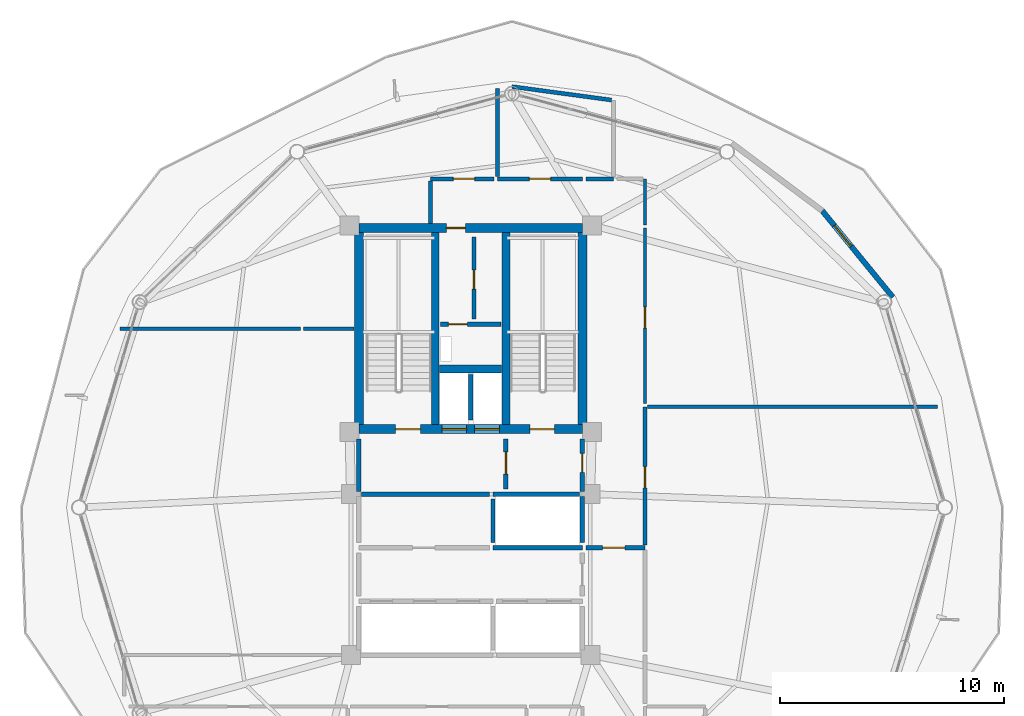
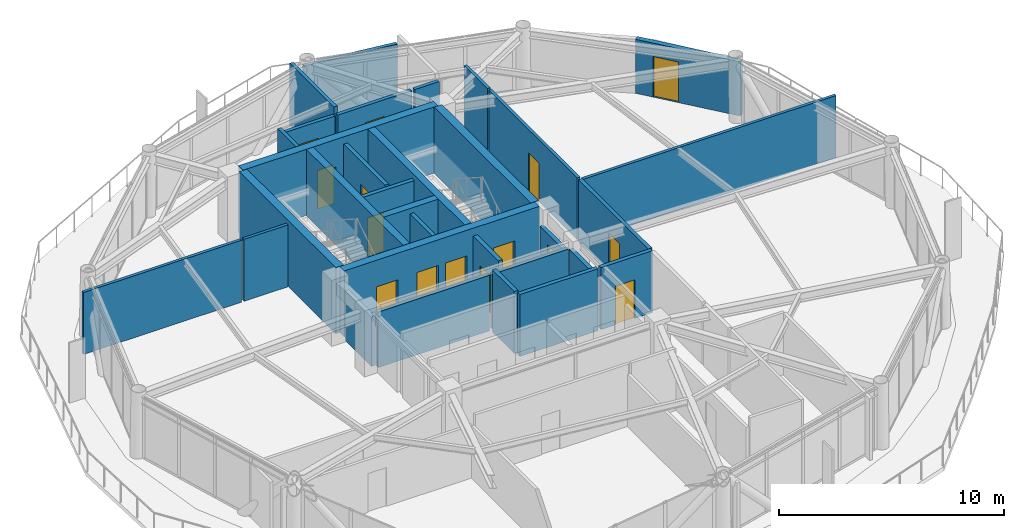
# One storey, part 24 of 28: 32 walls, 15 doors, 15 openings.
"""IFC4 building model written with IfcOpenShell, lengths in metres."""

import ifcopenshell
import ifcopenshell.guid

model = None  # the IFC model being written
_history = None  # IfcOwnerHistory: only IFC2X3 demands one
_inside = {}  # id of a spatial element -> (the spatial element, [elements in it])
_under = {}  # id of a project, library or spatial element -> (it, [spatial elements below it])
_declared = {}  # id of a project -> (the project, [libraries it declares])
_typed = {}  # id of a type object -> (the type object, [elements of that type])
_made_of = {}  # id of a material, layer set ... -> (it, [elements and type objects made of it])


def new_model(schema):
    """Start an empty IFC model of exactly this schema.

    Asked for "IFC4X3", IfcOpenShell would pick the latest addendum, in which some entities
    have other attributes; the version numbers below select the first issue.
    IFC2X3 requires an IfcOwnerHistory on every rooted entity: one is made here for all.
    """
    global model, _history
    if schema == "IFC4X3":
        model = ifcopenshell.file(schema_version=(4, 3, 0, 0))
    else:
        model = ifcopenshell.file(schema=schema)
    _inside.clear()
    _under.clear()
    _declared.clear()
    _typed.clear()
    _made_of.clear()
    _history = None
    if model.schema == "IFC2X3":
        org = make("IfcOrganization", Name="unknown")
        user = make(
            "IfcPersonAndOrganization",
            ThePerson=make("IfcPerson", FamilyName="unknown"),
            TheOrganization=org,
        )
        app = make(
            "IfcApplication",
            ApplicationDeveloper=org,
            Version="unknown",
            ApplicationFullName="unknown",
            ApplicationIdentifier="unknown",
        )
        _history = make(
            "IfcOwnerHistory",
            OwningUser=user,
            OwningApplication=app,
            ChangeAction="ADDED",
            CreationDate=0,
        )
    return model


def make(cls, **values):
    """One entity of the class cls with the attributes given. An attribute that is None is left unset."""
    return model.create_entity(
        cls, **{name: value for name, value in values.items() if value is not None}
    )


def rooted(cls, **values):
    """An entity with a GlobalId (a new one), such as an element, a storey or a relation."""
    return make(cls, GlobalId=ifcopenshell.guid.new(), OwnerHistory=_history, **values)


def si_unit(unit_type, name, prefix=None):
    """IfcSIUnit, for example si_unit("LENGTHUNIT", "METRE", prefix="MILLI")."""
    return make("IfcSIUnit", UnitType=unit_type, Prefix=prefix, Name=name)


def assignment(units):
    """IfcUnitAssignment: the units of a project."""
    return None if units is None else make("IfcUnitAssignment", Units=units)


def point(xyz):
    """IfcCartesianPoint."""
    return None if xyz is None else make("IfcCartesianPoint", Coordinates=xyz)


def direction(xyz):
    """IfcDirection."""
    return None if xyz is None else make("IfcDirection", DirectionRatios=xyz)


def frame(location, z_axis=None, x_axis=None):
    """IfcAxis2Placement3D, a coordinate frame: its origin and axes. An axis left out is left unset."""
    return make(
        "IfcAxis2Placement3D",
        Location=point(location),
        Axis=direction(z_axis),
        RefDirection=direction(x_axis),
    )


def frame_2d(location, x_axis=None):
    """IfcAxis2Placement2D, a coordinate frame in the plane: its origin and x axis."""
    return make(
        "IfcAxis2Placement2D", Location=point(location), RefDirection=direction(x_axis)
    )


def origin():
    """The frame at (0, 0, 0) with its axes left unset."""
    return frame((0.0, 0.0, 0.0))


def place(relative_to, where):
    """IfcLocalPlacement: puts the frame where relative to a parent placement (None: the world)."""
    return make(
        "IfcLocalPlacement", PlacementRelTo=relative_to, RelativePlacement=where
    )


def context(
    kind, dimensions, precision=None, world=None, true_north=None, identifier=None
):
    """IfcGeometricRepresentationContext, for example the 3D "Model" context."""
    return make(
        "IfcGeometricRepresentationContext",
        ContextIdentifier=identifier,
        ContextType=kind,
        CoordinateSpaceDimension=dimensions,
        Precision=precision,
        WorldCoordinateSystem=world,
        TrueNorth=true_north,
    )


def subcontext(parent, identifier, kind, view, scale=None):
    """IfcGeometricRepresentationSubContext, for example "Body" below "Model"."""
    return make(
        "IfcGeometricRepresentationSubContext",
        ContextIdentifier=identifier,
        ContextType=kind,
        ParentContext=parent,
        TargetScale=scale,
        TargetView=view,
    )


def project(units=None, contexts=None):
    """IfcProject with its units and contexts."""
    return rooted(
        "IfcProject",
        Name="project",
        RepresentationContexts=contexts,
        UnitsInContext=assignment(units),
    )


def spatial(cls, under=None, at=None, **own):
    """A site, building, storey or space (cls), placed at a placement, below another one or the project."""
    s = rooted(cls, ObjectPlacement=at, **own)
    if under is not None:
        _under.setdefault(under.id(), (under, []))[1].append(s)
    return s


def profile(cls, at=None, kind="AREA", **sizes):
    """A parametric profile (cls). Its sizes go by their IFC names, for example OverallWidth=200.0."""
    return make(cls, ProfileType=kind, Position=at, **sizes)


def rectangle(**sizes):
    """IfcRectangleProfileDef."""
    return profile("IfcRectangleProfileDef", **sizes)


def extrude(swept, where, along, depth):
    """IfcExtrudedAreaSolid: the profile swept, set in the frame where, extruded along a direction by depth."""
    return make(
        "IfcExtrudedAreaSolid",
        SweptArea=swept,
        Position=where,
        ExtrudedDirection=direction(along),
        Depth=depth,
    )


def shape(context_of_items, identifier, shape_type, items):
    """IfcShapeRepresentation: the items that make up one representation, for example the "Body"."""
    return make(
        "IfcShapeRepresentation",
        ContextOfItems=context_of_items,
        RepresentationIdentifier=identifier,
        RepresentationType=shape_type,
        Items=items,
    )


def material(Name=None, Category=None):
    """IfcMaterial."""
    return make("IfcMaterial", Name=Name, Category=Category)


def layer(
    of_material, thickness, ventilated=None, Name=None, Category=None, Priority=None
):
    """IfcMaterialLayer: one layer of a wall or slab, of a material (None: an air gap)."""
    return make(
        "IfcMaterialLayer",
        Material=of_material,
        LayerThickness=thickness,
        IsVentilated=ventilated,
        Name=Name,
        Category=Category,
        Priority=Priority,
    )


def layer_set(layers, Name=None):
    """IfcMaterialLayerSet."""
    return make("IfcMaterialLayerSet", MaterialLayers=layers, LayerSetName=Name)


def made_of(thing, what):
    """Note that an element or type object is made of a material, layer set ...; save() writes the relation."""
    if what is not None:
        _made_of.setdefault(what.id(), (what, []))[1].append(thing)
    return thing


def type_object(cls, material=None, **own):
    """A type object (cls), such as IfcWallType, which elements share."""
    return made_of(rooted(cls, **own), material)


def element(
    cls,
    number,
    at=None,
    inside=None,
    cuts=None,
    type_object=None,
    material=None,
    context=None,
    identifier="Body",
    shape_type=None,
    held_by="IfcProductDefinitionShape",
    body=None,
    shapes=None,
    **own,
):
    """One element of the class cls, such as IfcWall. Its Tag is "e" and its number.

    at: its placement. inside: the storey or other place that contains it. cuts: it is an
    opening in that element (IfcRelVoidsElement). A single representation is given by context,
    identifier, shape_type and body (its items); several are given by shapes. held_by: the class
    of the entity that holds the representations. save() writes the other relations.
    """
    e = rooted(cls, Tag="e%d" % number, ObjectPlacement=at, **own)
    if body is not None:
        shapes = [shape(context, identifier, shape_type, body)]
    if shapes is not None:
        e.Representation = make(held_by, Representations=shapes)
    if inside is not None:
        _inside.setdefault(inside.id(), (inside, []))[1].append(e)
    if cuts is not None:
        rooted(
            "IfcRelVoidsElement", RelatingBuildingElement=cuts, RelatedOpeningElement=e
        )
    if type_object is not None:
        _typed.setdefault(type_object.id(), (type_object, []))[1].append(e)
    return made_of(e, material)


def fill(opening, filler):
    """IfcRelFillsElement: the door or window that sits in an opening."""
    return rooted(
        "IfcRelFillsElement",
        RelatingOpeningElement=opening,
        RelatedBuildingElement=filler,
    )


def aggregate(whole, parts):
    """IfcRelAggregates: a whole, such as a stair, and the parts it consists of."""
    return rooted("IfcRelAggregates", RelatingObject=whole, RelatedObjects=parts)


def save(model, path):
    """Write the relations noted so far, then the file.

    IfcRelAggregates (storeys below a building ...), IfcRelContainedInSpatialStructure (elements
    in a storey), IfcRelDefinesByType, IfcRelAssociatesMaterial and IfcRelDeclares: one each for
    every whole, place, type object, material and project.
    """
    for whole, parts in _under.values():
        aggregate(whole, parts)
    for where, things in _inside.values():
        rooted(
            "IfcRelContainedInSpatialStructure",
            RelatedElements=things,
            RelatingStructure=where,
        )
    for kind, things in _typed.values():
        rooted("IfcRelDefinesByType", RelatedObjects=things, RelatingType=kind)
    for what, things in _made_of.values():
        rooted("IfcRelAssociatesMaterial", RelatedObjects=things, RelatingMaterial=what)
    for by, libraries in _declared.values():
        rooted("IfcRelDeclares", RelatingContext=by, RelatedDefinitions=libraries)
    model.write(path)


model = new_model("IFC4")

# Units and contexts
model_context = context("Model", 3, precision=1e-05, world=origin(), true_north=direction((0.0, 1.0)))
body_context = subcontext(model_context, "Body", "Model", "MODEL_VIEW")
ifc_project = project(units=[si_unit("LENGTHUNIT", "METRE"), si_unit("AREAUNIT", "SQUARE_METRE"), si_unit("VOLUMEUNIT", "CUBIC_METRE"), si_unit("PLANEANGLEUNIT", "RADIAN"), si_unit("MASSUNIT", "GRAM", prefix="KILO")], contexts=[model_context])

# Site, building, storey
site_placement = place(None, origin())
site = spatial("IfcSite", under=ifc_project, at=site_placement, CompositionType="ELEMENT")
building_placement = place(site_placement, origin())
building = spatial("IfcBuilding", under=site, at=building_placement, Name="Varnakorn Sky Granary", CompositionType="ELEMENT")
storey_placement = place(building_placement, frame((0.0, 0.0, 200.39990234375)))
storey = spatial("IfcBuildingStorey", under=building, at=storey_placement, Name="L50", CompositionType="ELEMENT", Elevation=200.39990234375)

# Walls
ifc_material_1 = material(Name="Concrete C50/60", Category="concrete")
ifc_layer_1 = layer(ifc_material_1, 0.35009765625, Name="Concrete C50/60")
ifc_layer_set_1 = layer_set([ifc_layer_1], Name="Concrete C50/60")
wall_type_1 = type_object("IfcWallType", Name="WT-CW-INT-350", PredefinedType="SHEAR", material=ifc_layer_set_1)
for number, where, z_axis, x_axis, name in (
    (1, (1.419921875, 3.7099609375, 0.0), (0.0, 0.0, 1.0), (0.0, 1.0, 0.0), "Stair ST-1 Core Wall L50"),
    (2, (4.580078125, 3.7099609375, 0.0), (0.0, 0.0, 1.0), (0.0, 1.0, 0.0), "Stair ST-2 Core Wall L50"),
):
    element("IfcWall", number, at=place(storey_placement, frame(where, z_axis=z_axis, x_axis=x_axis)), inside=storey, type_object=wall_type_1, Name=name, PredefinedType="SHEAR", context=body_context, shape_type="SweptSolid", body=[
        extrude(rectangle(XDim=8.580078125, YDim=0.35009765625, at=frame_2d((4.2900390625, 0.0))), origin(), (0.0, 0.0, 1.0), 3.592041015625),
    ])
wall_1_placement = place(storey_placement, frame((1.610107421875, 6.199951171875, 0.0), z_axis=(0.0, 0.0, 1.0), x_axis=(1.0, 0.0, 0.0)))
element("IfcWall", 3, at=wall_1_placement, inside=storey, type_object=wall_type_1, Name="Core Lift Shaft Cross Wall L50", PredefinedType="SHEAR", context=body_context, shape_type="SweptSolid", body=[
    extrude(rectangle(XDim=2.77978515625, YDim=0.35009765625, at=frame_2d((1.389892578125, 0.0))), origin(), (0.0, 0.0, 1.0), 3.592041015625),
])

# Wall, openings, doors
ifc_layer_2 = layer(ifc_material_1, 0.39990234375, Name="Concrete C50/60")
ifc_layer_set_2 = layer_set([ifc_layer_2], Name="Concrete C50/60")
wall_type_2 = type_object("IfcWallType", Name="WT-CW-SHEAR-400", PredefinedType="SHEAR", material=ifc_layer_set_2)
wall_2_placement = place(storey_placement, frame((-2.0, 3.5, 0.0), z_axis=(0.0, 0.0, 1.0), x_axis=(1.0, 0.0, 0.0)))
wall_2 = element("IfcWall", 4, at=wall_2_placement, inside=storey, type_object=wall_type_2, Name="Core South Shear Wall L50", PredefinedType="SHEAR", context=body_context, shape_type="SweptSolid", body=[
    extrude(rectangle(XDim=10.0, YDim=0.39990234375, at=frame_2d((5.0, 0.0))), origin(), (0.0, 0.0, 1.0), 3.592041015625),
])
opening_1_placement = place(wall_2_placement, frame((1.64990234375, 0.0, 0.0)))
opening_1 = element("IfcOpeningElement", 5, at=opening_1_placement, cuts=wall_2, Name="Opening FD-90", PredefinedType="OPENING", context=body_context, shape_type="SweptSolid", body=[
    extrude(rectangle(XDim=1.10009765625, YDim=2.14990234375, at=frame_2d((0.550048828125, 1.074951171875))), frame((0.0, 0.2099609375, 0.0), z_axis=(0.0, -1.0, 0.0), x_axis=(1.0, 0.0, 0.0)), (0.0, 0.0, 1.0), 0.419921875),
])
opening_2_placement = place(wall_2_placement, frame((7.64990234375, 0.0, 0.0)))
opening_2 = element("IfcOpeningElement", 6, at=opening_2_placement, cuts=wall_2, Name="Opening FD-90", PredefinedType="OPENING", context=body_context, shape_type="SweptSolid", body=[
    extrude(rectangle(XDim=1.10009765625, YDim=2.14990234375, at=frame_2d((0.550048828125, 1.074951171875))), frame((0.0, 0.2099609375, 0.0), z_axis=(0.0, -1.0, 0.0), x_axis=(1.0, 0.0, 0.0)), (0.0, 0.0, 1.0), 0.419921875),
])
opening_3_placement = place(wall_2_placement, frame((3.719970703125, 0.0, 0.0)))
opening_3 = element("IfcOpeningElement", 7, at=opening_3_placement, cuts=wall_2, Name="Opening LD-01", PredefinedType="OPENING", context=body_context, shape_type="SweptSolid", body=[
    extrude(rectangle(XDim=1.10009765625, YDim=2.199951171875, at=frame_2d((0.550048828125, 1.10009765625))), frame((0.0, 0.2099609375, 0.0), z_axis=(0.0, -1.0, 0.0), x_axis=(1.0, 0.0, 0.0)), (0.0, 0.0, 1.0), 0.419921875),
])
opening_4_placement = place(wall_2_placement, frame((5.179931640625, 0.0, 0.0)))
opening_4 = element("IfcOpeningElement", 8, at=opening_4_placement, cuts=wall_2, Name="Opening LD-01", PredefinedType="OPENING", context=body_context, shape_type="SweptSolid", body=[
    extrude(rectangle(XDim=1.10009765625, YDim=2.199951171875, at=frame_2d((0.550048828125, 1.10009765625))), frame((0.0, 0.2099609375, 0.0), z_axis=(0.0, -1.0, 0.0), x_axis=(1.0, 0.0, 0.0)), (0.0, 0.0, 1.0), 0.419921875),
])
ifc_material_2 = material(Name="Brushed Bronze Stainless Steel", Category="steel")
door_type_1 = type_object("IfcDoorType", Name="DR-LD-1100", OperationType="DOUBLE_DOOR_SLIDING", PredefinedType="DOOR", material=ifc_material_2)
door_1_placement = place(opening_3_placement, origin())
door_1 = element("IfcDoor", 9, at=door_1_placement, inside=storey, type_object=door_type_1, Name="Firefighting Lift FFL-1 Landing Door L50", OperationType="DOUBLE_DOOR_SLIDING", OverallHeight=2.199951171875, OverallWidth=1.10009765625, PredefinedType="DOOR", context=body_context, shape_type="SweptSolid", body=[
    extrude(rectangle(XDim=1.10009765625, YDim=2.199951171875, at=frame_2d((0.550048828125, 1.10009765625))), frame((0.0, 0.02490234375, 0.0), z_axis=(0.0, -1.0, 0.0), x_axis=(1.0, 0.0, 0.0)), (0.0, 0.0, 1.0), 0.050048828125),
])
fill(opening_3, door_1)
door_2_placement = place(opening_4_placement, origin())
door_2 = element("IfcDoor", 10, at=door_2_placement, inside=storey, type_object=door_type_1, Name="Firefighting Lift FFL-2 Landing Door L50", OperationType="DOUBLE_DOOR_SLIDING", OverallHeight=2.199951171875, OverallWidth=1.10009765625, PredefinedType="DOOR", context=body_context, shape_type="SweptSolid", body=[
    extrude(rectangle(XDim=1.10009765625, YDim=2.199951171875, at=frame_2d((0.550048828125, 1.10009765625))), frame((0.0, 0.02490234375, 0.0), z_axis=(0.0, -1.0, 0.0), x_axis=(1.0, 0.0, 0.0)), (0.0, 0.0, 1.0), 0.050048828125),
])
fill(opening_4, door_2)
ifc_material_3 = material(Name="Galvanised Painted Steel Leaf", Category="steel")
door_type_2 = type_object("IfcDoorType", Name="DR-STAIR-1100", OperationType="NOTDEFINED", PredefinedType="DOOR", material=ifc_material_3)
door_3_placement = place(opening_1_placement, origin())
door_3 = element("IfcDoor", 11, at=door_3_placement, inside=storey, type_object=door_type_2, Name="Stair ST-1 Protected Fire Door L50", OperationType="SINGLE_SWING_LEFT", OverallHeight=2.14990234375, OverallWidth=1.10009765625, PredefinedType="DOOR", context=body_context, shape_type="SweptSolid", body=[
    extrude(rectangle(XDim=1.10009765625, YDim=2.14990234375, at=frame_2d((0.550048828125, 1.074951171875))), frame((0.0, 0.02490234375, 0.0), z_axis=(0.0, -1.0, 0.0), x_axis=(1.0, 0.0, 0.0)), (0.0, 0.0, 1.0), 0.050048828125),
])
fill(opening_1, door_3)
door_4_placement = place(opening_2_placement, origin())
door_4 = element("IfcDoor", 12, at=door_4_placement, inside=storey, type_object=door_type_2, Name="Stair ST-2 Protected Fire Door L50", OperationType="SINGLE_SWING_RIGHT", OverallHeight=2.14990234375, OverallWidth=1.10009765625, PredefinedType="DOOR", context=body_context, shape_type="SweptSolid", body=[
    extrude(rectangle(XDim=1.10009765625, YDim=2.14990234375, at=frame_2d((0.550048828125, 1.074951171875))), frame((0.0, 0.02490234375, 0.0), z_axis=(0.0, -1.0, 0.0), x_axis=(1.0, 0.0, 0.0)), (0.0, 0.0, 1.0), 0.050048828125),
])
fill(opening_2, door_4)

# Wall, opening, door
wall_3_placement = place(storey_placement, frame((-2.0, 12.5, 0.0), z_axis=(0.0, 0.0, 1.0), x_axis=(1.0, 0.0, 0.0)))
wall_3 = element("IfcWall", 13, at=wall_3_placement, inside=storey, type_object=wall_type_2, Name="Core North Shear Wall L50", PredefinedType="SHEAR", context=body_context, shape_type="SweptSolid", body=[
    extrude(rectangle(XDim=10.0, YDim=0.39990234375, at=frame_2d((5.0, 0.0))), origin(), (0.0, 0.0, 1.0), 3.592041015625),
])
opening_5_placement = place(wall_3_placement, frame((3.919921875, 0.0, 0.0)))
opening_5 = element("IfcOpeningElement", 14, at=opening_5_placement, cuts=wall_3, Name="Opening FD-60N", PredefinedType="OPENING", context=body_context, shape_type="SweptSolid", body=[
    extrude(rectangle(XDim=0.85009765625, YDim=2.10009765625, at=frame_2d((0.425048828125, 1.050048828125))), frame((0.0, 0.2099609375, 0.0), z_axis=(0.0, -1.0, 0.0), x_axis=(1.0, 0.0, 0.0)), (0.0, 0.0, 1.0), 0.419921875),
])
ifc_material_4 = material(Name="Acoustic Timber Fire Leaf", Category="wood")
door_type_3 = type_object("IfcDoorType", Name="DR-FD60-850", OperationType="NOTDEFINED", PredefinedType="DOOR", material=ifc_material_4)
door_5_placement = place(opening_5_placement, origin())
door_5 = element("IfcDoor", 15, at=door_5_placement, inside=storey, type_object=door_type_3, Name="Core North Service Door L50", OperationType="SINGLE_SWING_RIGHT", OverallHeight=2.10009765625, OverallWidth=0.85009765625, PredefinedType="DOOR", context=body_context, shape_type="SweptSolid", body=[
    extrude(rectangle(XDim=0.85009765625, YDim=2.10009765625, at=frame_2d((0.425048828125, 1.050048828125))), frame((0.0, 0.02490234375, 0.0), z_axis=(0.0, -1.0, 0.0), x_axis=(1.0, 0.0, 0.0)), (0.0, 0.0, 1.0), 0.050048828125),
])
fill(opening_5, door_5)

# Walls
for number, where, z_axis, x_axis, name in (
    (16, (-2.0, 3.7099609375, 0.0), (0.0, 0.0, 1.0), (0.0, 1.0, 0.0), "Core West Shear Wall L50"),
    (17, (8.0, 3.7099609375, 0.0), (0.0, 0.0, 1.0), (0.0, 1.0, 0.0), "Core East Shear Wall L50"),
):
    element("IfcWall", number, at=place(storey_placement, frame(where, z_axis=z_axis, x_axis=x_axis)), inside=storey, type_object=wall_type_2, Name=name, PredefinedType="SHEAR", context=body_context, shape_type="SweptSolid", body=[
        extrude(rectangle(XDim=8.580078125, YDim=0.39990234375, at=frame_2d((4.2900390625, 0.0))), origin(), (0.0, 0.0, 1.0), 3.592041015625),
    ])

# Wall, opening, door
ifc_material_5 = material(Name="Precast concrete C40/50", Category="concrete")
ifc_layer_3 = layer(ifc_material_5, 0.239990234375, Name="Precast concrete C40/50")
ifc_layer_set_3 = layer_set([ifc_layer_3], Name="Precast concrete C40/50")
wall_type_3 = type_object("IfcWallType", Name="WT-EW-BAL-260", PredefinedType="SOLIDWALL", material=ifc_layer_set_3)
wall_4_placement = place(storey_placement, frame((18.727783203125, 13.267333984375, 0.0), z_axis=(0.0, 0.0, 1.0), x_axis=(0.632859355642, -0.774266773132, 0.0)))
wall_4 = element("IfcWall", 18, at=wall_4_placement, inside=storey, type_object=wall_type_3, Name="Balcony Threshold Facade Wall L50-B02A", PredefinedType="SOLIDWALL", context=body_context, shape_type="SweptSolid", body=[
    extrude(rectangle(XDim=4.989501953125, YDim=0.239990234375, at=frame_2d((2.49462890625, 0.0))), origin(), (0.0, 0.0, 1.0), 2.93017578125),
])
opening_6_placement = place(wall_4_placement, frame((0.85009765625, 0.0, 0.0)))
opening_6 = element("IfcOpeningElement", 19, at=opening_6_placement, cuts=wall_4, Name="Opening BD-01", PredefinedType="OPENING", context=body_context, shape_type="SweptSolid", body=[
    extrude(rectangle(XDim=1.199951171875, YDim=2.199951171875, at=frame_2d((0.60009765625, 1.10009765625))), frame((0.0, 0.1298828125, 0.0), z_axis=(0.0, -1.0, 0.0), x_axis=(1.0, 0.0, 0.0)), (0.0, 0.0, 1.0), 0.260009765625),
])
ifc_material_6 = material(Name="Anodised Bronze Aluminium Alloy 6063-T6", Category="aluminium")
door_type_4 = type_object("IfcDoorType", Name="DR-BAL-1200", OperationType="NOTDEFINED", PredefinedType="DOOR", material=ifc_material_6)
door_6_placement = place(opening_6_placement, origin())
door_6 = element("IfcDoor", 20, at=door_6_placement, inside=storey, type_object=door_type_4, Name="Sky-Farm Balcony Access Door L50", OperationType="SINGLE_SWING_RIGHT", OverallHeight=2.199951171875, OverallWidth=1.199951171875, PredefinedType="DOOR", context=body_context, shape_type="SweptSolid", body=[
    extrude(rectangle(XDim=1.199951171875, YDim=2.199951171875, at=frame_2d((0.60009765625, 1.10009765625))), frame((0.0, 0.02490234375, 0.0), z_axis=(0.0, -1.0, 0.0), x_axis=(1.0, 0.0, 0.0)), (0.0, 0.0, 1.0), 0.050048828125),
])
fill(opening_6, door_6)

ifc_material_7 = material(Name="Autoclaved Aerated Concrete Blockwork", Category="masonry")
ifc_layer_4 = layer(ifc_material_7, 0.199951171875, Name="Autoclaved Aerated Concrete Blockwork")
ifc_layer_set_4 = layer_set([ifc_layer_4], Name="Autoclaved Aerated Concrete Blockwork")
wall_type_4 = type_object("IfcWallType", Name="WT-FIRE-200", PredefinedType="MOVABLE", material=ifc_layer_set_4)
wall_5_placement = place(storey_placement, frame((1.64990234375, 8.199951171875, 0.0), z_axis=(0.0, 0.0, 1.0), x_axis=(1.0, 0.0, 0.0)))
wall_5 = element("IfcWall", 21, at=wall_5_placement, inside=storey, type_object=wall_type_4, Name="Interior Partition Wall L50-013", PredefinedType="MOVABLE", context=body_context, shape_type="SweptSolid", body=[
    extrude(rectangle(XDim=2.7001953125, YDim=0.199951171875, at=frame_2d((1.35009765625, 0.0))), origin(), (0.0, 0.0, 1.0), 3.360107421875),
])
opening_7_placement = place(wall_5_placement, frame((0.35009765625, 0.0, 0.0)))
opening_7 = element("IfcOpeningElement", 22, at=opening_7_placement, cuts=wall_5, Name="Opening FD-60N", PredefinedType="OPENING", context=body_context, shape_type="SweptSolid", body=[
    extrude(rectangle(XDim=0.85009765625, YDim=2.10009765625, at=frame_2d((0.425048828125, 1.050048828125))), frame((0.0, 0.10986328125, 0.0), z_axis=(0.0, -1.0, 0.0), x_axis=(1.0, 0.0, 0.0)), (0.0, 0.0, 1.0), 0.219970703125),
])
door_7_placement = place(opening_7_placement, origin())
door_7 = element("IfcDoor", 23, at=door_7_placement, inside=storey, type_object=door_type_3, Name="Interior Door L50-013-1", OperationType="SINGLE_SWING_LEFT", OverallHeight=2.10009765625, OverallWidth=0.85009765625, PredefinedType="DOOR", context=body_context, shape_type="SweptSolid", body=[
    extrude(rectangle(XDim=0.85009765625, YDim=2.10009765625, at=frame_2d((0.425048828125, 1.050048828125))), frame((0.0, 0.02490234375, 0.0), z_axis=(0.0, -1.0, 0.0), x_axis=(1.0, 0.0, 0.0)), (0.0, 0.0, 1.0), 0.050048828125),
])
fill(opening_7, door_7)

wall_6_placement = place(storey_placement, frame((3.14990234375, 8.429931640625, 0.0), z_axis=(0.0, 0.0, 1.0), x_axis=(0.0, 1.0, 0.0)))
wall_6 = element("IfcWall", 24, at=wall_6_placement, inside=storey, type_object=wall_type_4, Name="Interior Partition Wall L50-014", PredefinedType="MOVABLE", context=body_context, shape_type="SweptSolid", body=[
    extrude(rectangle(XDim=3.670166015625, YDim=0.199951171875, at=frame_2d((1.8349609375, 0.0))), origin(), (0.0, 0.0, 1.0), 3.360107421875),
])
opening_8_placement = place(wall_6_placement, frame((1.340087890625, 0.0, 0.0)))
opening_8 = element("IfcOpeningElement", 25, at=opening_8_placement, cuts=wall_6, Name="Opening FD-60N", PredefinedType="OPENING", context=body_context, shape_type="SweptSolid", body=[
    extrude(rectangle(XDim=0.85009765625, YDim=2.10009765625, at=frame_2d((0.425048828125, 1.050048828125))), frame((0.0, 0.10986328125, 0.0), z_axis=(0.0, -1.0, 0.0), x_axis=(1.0, 0.0, 0.0)), (0.0, 0.0, 1.0), 0.219970703125),
])
door_8_placement = place(opening_8_placement, origin())
door_8 = element("IfcDoor", 26, at=door_8_placement, inside=storey, type_object=door_type_3, Name="Interior Door L50-014-1", OperationType="SINGLE_SWING_RIGHT", OverallHeight=2.10009765625, OverallWidth=0.85009765625, PredefinedType="DOOR", context=body_context, shape_type="SweptSolid", body=[
    extrude(rectangle(XDim=0.85009765625, YDim=2.10009765625, at=frame_2d((0.425048828125, 1.050048828125))), frame((0.0, 0.02490234375, 0.0), z_axis=(0.0, -1.0, 0.0), x_axis=(1.0, 0.0, 0.0)), (0.0, 0.0, 1.0), 0.050048828125),
])
fill(opening_8, door_8)

wall_7_placement = place(storey_placement, frame((4.580078125, 0.830078125, 0.0), z_axis=(0.0, 0.0, 1.0), x_axis=(0.0, 1.0, 0.0)))
wall_7 = element("IfcWall", 27, at=wall_7_placement, inside=storey, type_object=wall_type_4, Name="Interior Partition Wall L50-015", PredefinedType="MOVABLE", context=body_context, shape_type="SweptSolid", body=[
    extrude(rectangle(XDim=2.239990234375, YDim=0.199951171875, at=frame_2d((1.1201171875, 0.0))), origin(), (0.0, 0.0, 1.0), 3.360107421875),
])
opening_9_placement = place(wall_7_placement, frame((0.659912109375, 0.0, 0.0)))
opening_9 = element("IfcOpeningElement", 28, at=opening_9_placement, cuts=wall_7, Name="Opening FD-60", PredefinedType="OPENING", context=body_context, shape_type="SweptSolid", body=[
    extrude(rectangle(XDim=1.0, YDim=2.10009765625, at=frame_2d((0.5, 1.050048828125))), frame((0.0, 0.10986328125, 0.0), z_axis=(0.0, -1.0, 0.0), x_axis=(1.0, 0.0, 0.0)), (0.0, 0.0, 1.0), 0.219970703125),
])
door_type_5 = type_object("IfcDoorType", Name="DR-FD60-1000", OperationType="NOTDEFINED", PredefinedType="DOOR", material=ifc_material_4)
door_9_placement = place(opening_9_placement, origin())
door_9 = element("IfcDoor", 29, at=door_9_placement, inside=storey, type_object=door_type_5, Name="Interior Door L50-015-1", OperationType="SINGLE_SWING_LEFT", OverallHeight=2.10009765625, OverallWidth=1.0, PredefinedType="DOOR", context=body_context, shape_type="SweptSolid", body=[
    extrude(rectangle(XDim=1.0, YDim=2.10009765625, at=frame_2d((0.5, 1.050048828125))), frame((0.0, 0.02490234375, 0.0), z_axis=(0.0, -1.0, 0.0), x_axis=(1.0, 0.0, 0.0)), (0.0, 0.0, 1.0), 0.050048828125),
])
fill(opening_9, door_9)

wall_8_placement = place(storey_placement, frame((8.0, 0.719970703125, 0.0), z_axis=(0.0, 0.0, 1.0), x_axis=(0.0, 1.0, 0.0)))
wall_8 = element("IfcWall", 30, at=wall_8_placement, inside=storey, type_object=wall_type_4, Name="Interior Partition Wall L50-016", PredefinedType="MOVABLE", context=body_context, shape_type="SweptSolid", body=[
    extrude(rectangle(XDim=2.35009765625, YDim=0.199951171875, at=frame_2d((1.175048828125, 0.0))), origin(), (0.0, 0.0, 1.0), 2.692138671875),
])
opening_10_placement = place(wall_8_placement, frame((0.844970703125, 0.0, 0.0)))
opening_10 = element("IfcOpeningElement", 31, at=opening_10_placement, cuts=wall_8, Name="Opening FD-60N", PredefinedType="OPENING", context=body_context, shape_type="SweptSolid", body=[
    extrude(rectangle(XDim=0.85009765625, YDim=2.10009765625, at=frame_2d((0.425048828125, 1.050048828125))), frame((0.0, 0.10986328125, 0.0), z_axis=(0.0, -1.0, 0.0), x_axis=(1.0, 0.0, 0.0)), (0.0, 0.0, 1.0), 0.219970703125),
])
door_10_placement = place(opening_10_placement, origin())
door_10 = element("IfcDoor", 32, at=door_10_placement, inside=storey, type_object=door_type_3, Name="Interior Door L50-016-1", OperationType="SINGLE_SWING_RIGHT", OverallHeight=2.10009765625, OverallWidth=0.85009765625, PredefinedType="DOOR", context=body_context, shape_type="SweptSolid", body=[
    extrude(rectangle(XDim=0.85009765625, YDim=2.10009765625, at=frame_2d((0.425048828125, 1.050048828125))), frame((0.0, 0.02490234375, 0.0), z_axis=(0.0, -1.0, 0.0), x_axis=(1.0, 0.0, 0.0)), (0.0, 0.0, 1.0), 0.050048828125),
])
fill(opening_10, door_10)

wall_9_placement = place(storey_placement, frame((8.159912109375, -1.800048828125, 0.0), z_axis=(0.0, 0.0, 1.0), x_axis=(1.0, 0.0, 0.0)))
wall_9 = element("IfcWall", 33, at=wall_9_placement, inside=storey, type_object=wall_type_4, Name="Interior Partition Wall L50-019", PredefinedType="MOVABLE", context=body_context, shape_type="SweptSolid", body=[
    extrude(rectangle(XDim=2.64013671875, YDim=0.199951171875, at=frame_2d((1.320068359375, 0.0))), origin(), (0.0, 0.0, 1.0), 3.360107421875),
])
opening_11_placement = place(wall_9_placement, frame((0.739990234375, 0.0, 0.0)))
opening_11 = element("IfcOpeningElement", 34, at=opening_11_placement, cuts=wall_9, Name="Opening FD-60", PredefinedType="OPENING", context=body_context, shape_type="SweptSolid", body=[
    extrude(rectangle(XDim=1.0, YDim=2.10009765625, at=frame_2d((0.5, 1.050048828125))), frame((0.0, 0.10986328125, 0.0), z_axis=(0.0, -1.0, 0.0), x_axis=(1.0, 0.0, 0.0)), (0.0, 0.0, 1.0), 0.219970703125),
])
door_11_placement = place(opening_11_placement, origin())
door_11 = element("IfcDoor", 35, at=door_11_placement, inside=storey, type_object=door_type_5, Name="Interior Door L50-019-1", OperationType="SINGLE_SWING_LEFT", OverallHeight=2.10009765625, OverallWidth=1.0, PredefinedType="DOOR", context=body_context, shape_type="SweptSolid", body=[
    extrude(rectangle(XDim=1.0, YDim=2.10009765625, at=frame_2d((0.5, 1.050048828125))), frame((0.0, 0.02490234375, 0.0), z_axis=(0.0, -1.0, 0.0), x_axis=(1.0, 0.0, 0.0)), (0.0, 0.0, 1.0), 0.050048828125),
])
fill(opening_11, door_11)

# Walls
wall_10_placement = place(storey_placement, frame((-1.8798828125, 0.60009765625, 0.0), z_axis=(0.0, 0.0, 1.0), x_axis=(1.0, 0.0, 0.0)))
element("IfcWall", 36, at=wall_10_placement, inside=storey, type_object=wall_type_4, Name="Interior Partition Wall L50-028", PredefinedType="MOVABLE", context=body_context, shape_type="SweptSolid", body=[
    extrude(rectangle(XDim=5.719970703125, YDim=0.199951171875, at=frame_2d((2.85986328125, 0.0))), origin(), (0.0, 0.0, 1.0), 3.01220703125),
])
wall_11_placement = place(storey_placement, frame((-2.0, 0.719970703125, 0.0), z_axis=(0.0, 0.0, 1.0), x_axis=(0.0, 1.0, 0.0)))
element("IfcWall", 37, at=wall_11_placement, inside=storey, type_object=wall_type_4, Name="Interior Partition Wall L50-029", PredefinedType="MOVABLE", context=body_context, shape_type="SweptSolid", body=[
    extrude(rectangle(XDim=2.35009765625, YDim=0.199951171875, at=frame_2d((1.175048828125, 0.0))), origin(), (0.0, 0.0, 1.0), 2.692138671875),
])

# Wall, opening, door
ifc_material_8 = material(Name="Gypsum Plasterboard on Steel Stud", Category="steel")
ifc_layer_5 = layer(ifc_material_8, 0.14990234375, Name="Gypsum Plasterboard on Steel Stud")
ifc_layer_set_5 = layer_set([ifc_layer_5], Name="Gypsum Plasterboard on Steel Stud")
wall_type_5 = type_object("IfcWallType", Name="WT-PART-150", PredefinedType="PARTITIONING", material=ifc_layer_set_5)
wall_12_placement = place(storey_placement, frame((10.800048828125, 4.64990234375, 0.0), z_axis=(0.0, 0.0, 1.0), x_axis=(0.0, 1.0, 0.0)))
wall_12 = element("IfcWall", 38, at=wall_12_placement, inside=storey, type_object=wall_type_5, Name="Interior Partition Wall L50-027", PredefinedType="PARTITIONING", context=body_context, shape_type="SweptSolid", body=[
    extrude(rectangle(XDim=7.85009765625, YDim=0.14990234375, at=frame_2d((3.925048828125, 0.0))), origin(), (0.0, 0.0, 1.0), 3.360107421875),
])
opening_12_placement = place(wall_12_placement, frame((3.375, 0.0, 0.0)))
opening_12 = element("IfcOpeningElement", 39, at=opening_12_placement, cuts=wall_12, Name="Opening ID-95", PredefinedType="OPENING", context=body_context, shape_type="SweptSolid", body=[
    extrude(rectangle(XDim=0.949951171875, YDim=2.10009765625, at=frame_2d((0.47509765625, 1.050048828125))), frame((0.0, 0.0849609375, 0.0), z_axis=(0.0, -1.0, 0.0), x_axis=(1.0, 0.0, 0.0)), (0.0, 0.0, 1.0), 0.169921875),
])
ifc_material_9 = material(Name="Solid-Core Teak Veneer Leaf", Category="timber")
door_type_6 = type_object("IfcDoorType", Name="DR-INT-950", OperationType="NOTDEFINED", PredefinedType="DOOR", material=ifc_material_9)
door_12_placement = place(opening_12_placement, origin())
door_12 = element("IfcDoor", 40, at=door_12_placement, inside=storey, type_object=door_type_6, Name="Interior Door L50-027-1", OperationType="SINGLE_SWING_LEFT", OverallHeight=2.10009765625, OverallWidth=0.949951171875, PredefinedType="DOOR", context=body_context, shape_type="SweptSolid", body=[
    extrude(rectangle(XDim=0.949951171875, YDim=2.10009765625, at=frame_2d((0.47509765625, 1.050048828125))), frame((0.0, 0.02490234375, 0.0), z_axis=(0.0, -1.0, 0.0), x_axis=(1.0, 0.0, 0.0)), (0.0, 0.0, 1.0), 0.050048828125),
])
fill(opening_12, door_12)

# Walls
wall_13_placement = place(storey_placement, frame((-12.693115234375, 8.0, 0.0), z_axis=(0.0, 0.0, 1.0), x_axis=(1.0, 0.0, 0.0)))
element("IfcWall", 41, at=wall_13_placement, inside=storey, type_object=wall_type_5, Name="Interior Partition Wall L50-041", PredefinedType="PARTITIONING", context=body_context, shape_type="SweptSolid", body=[
    extrude(rectangle(XDim=8.093017578125, YDim=0.14990234375, at=frame_2d((4.04638671875, 0.0))), origin(), (0.0, 0.0, 1.0), 3.360107421875),
])
wall_14_placement = place(storey_placement, frame((-4.465087890625, 8.0, 0.0), z_axis=(0.0, 0.0, 1.0), x_axis=(1.0, 0.0, 0.0)))
element("IfcWall", 42, at=wall_14_placement, inside=storey, type_object=wall_type_5, Name="Interior Partition Wall L50-042", PredefinedType="PARTITIONING", context=body_context, shape_type="SweptSolid", body=[
    extrude(rectangle(XDim=2.255126953125, YDim=0.14990234375, at=frame_2d((1.12744140625, 0.0))), origin(), (0.0, 0.0, 1.0), 3.360107421875),
])
wall_15_placement = place(storey_placement, frame((10.89990234375, 4.5, 0.0), z_axis=(0.0, 0.0, 1.0), x_axis=(1.0, 0.0, 0.0)))
element("IfcWall", 43, at=wall_15_placement, inside=storey, type_object=wall_type_5, Name="Interior Partition Wall L50-047", PredefinedType="PARTITIONING", context=body_context, shape_type="SweptSolid", body=[
    extrude(rectangle(XDim=12.97509765625, YDim=0.14990234375, at=frame_2d((6.487548828125, 0.0))), origin(), (0.0, 0.0, 1.0), 3.360107421875),
])
wall_16_placement = place(storey_placement, frame((10.800048828125, 12.635009765625, 0.0), z_axis=(0.0, 0.0, 1.0), x_axis=(0.0, 1.0, 0.0)))
element("IfcWall", 44, at=wall_16_placement, inside=storey, type_object=wall_type_5, Name="Interior Partition Wall L50-048", PredefinedType="PARTITIONING", context=body_context, shape_type="SweptSolid", body=[
    extrude(rectangle(XDim=2.06494140625, YDim=0.14990234375, at=frame_2d((1.032470703125, 0.0))), origin(), (0.0, 0.0, 1.0), 3.360107421875),
])

# Wall, opening, door
ifc_material_10 = material(Name="Moisture-Resistant Gypsum on Stud", Category="gypsum")
ifc_layer_6 = layer(ifc_material_10, 0.179931640625, Name="Moisture-Resistant Gypsum on Stud")
ifc_layer_set_6 = layer_set([ifc_layer_6], Name="Moisture-Resistant Gypsum on Stud")
wall_type_6 = type_object("IfcWallType", Name="WT-PLUMB-180", PredefinedType="PLUMBINGWALL", material=ifc_layer_set_6)
wall_17_placement = place(storey_placement, frame((8.0, 14.699951171875, 0.0), z_axis=(0.0, 0.0, 1.0), x_axis=(-1.0, 0.0, 0.0)))
wall_17 = element("IfcWall", 45, at=wall_17_placement, inside=storey, type_object=wall_type_6, Name="Interior Partition Wall L50-020", PredefinedType="PLUMBINGWALL", context=body_context, shape_type="SweptSolid", body=[
    extrude(rectangle(XDim=3.800048828125, YDim=0.179931640625, at=frame_2d((1.89990234375, 0.0))), origin(), (0.0, 0.0, 1.0), 3.01220703125),
])
opening_13_placement = place(wall_17_placement, frame((1.425048828125, 0.0, 0.0)))
opening_13 = element("IfcOpeningElement", 46, at=opening_13_placement, cuts=wall_17, Name="Opening ID-95", PredefinedType="OPENING", context=body_context, shape_type="SweptSolid", body=[
    extrude(rectangle(XDim=0.949951171875, YDim=2.10009765625, at=frame_2d((0.47509765625, 1.050048828125))), frame((0.0, 0.10009765625, 0.0), z_axis=(0.0, -1.0, 0.0), x_axis=(1.0, 0.0, 0.0)), (0.0, 0.0, 1.0), 0.199951171875),
])
door_13_placement = place(opening_13_placement, origin())
door_13 = element("IfcDoor", 47, at=door_13_placement, inside=storey, type_object=door_type_6, Name="Interior Door L50-020-1", OperationType="SINGLE_SWING_RIGHT", OverallHeight=2.10009765625, OverallWidth=0.949951171875, PredefinedType="DOOR", context=body_context, shape_type="SweptSolid", body=[
    extrude(rectangle(XDim=0.949951171875, YDim=2.10009765625, at=frame_2d((0.47509765625, 1.050048828125))), frame((0.0, 0.02490234375, 0.0), z_axis=(0.0, -1.0, 0.0), x_axis=(1.0, 0.0, 0.0)), (0.0, 0.0, 1.0), 0.050048828125),
])
fill(opening_13, door_13)

wall_18_placement = place(storey_placement, frame((4.050048828125, 14.699951171875, 0.0), z_axis=(0.0, 0.0, 1.0), x_axis=(-1.0, 0.0, 0.0)))
wall_18 = element("IfcWall", 48, at=wall_18_placement, inside=storey, type_object=wall_type_6, Name="Interior Partition Wall L50-025", PredefinedType="PLUMBINGWALL", context=body_context, shape_type="SweptSolid", body=[
    extrude(rectangle(XDim=2.85009765625, YDim=0.179931640625, at=frame_2d((1.425048828125, 0.0))), origin(), (0.0, 0.0, 1.0), 3.01220703125),
])
opening_14_placement = place(wall_18_placement, frame((0.875, 0.0, 0.0)))
opening_14 = element("IfcOpeningElement", 49, at=opening_14_placement, cuts=wall_18, Name="Opening ID-95", PredefinedType="OPENING", context=body_context, shape_type="SweptSolid", body=[
    extrude(rectangle(XDim=0.949951171875, YDim=2.10009765625, at=frame_2d((0.47509765625, 1.050048828125))), frame((0.0, 0.10009765625, 0.0), z_axis=(0.0, -1.0, 0.0), x_axis=(1.0, 0.0, 0.0)), (0.0, 0.0, 1.0), 0.199951171875),
])
door_14_placement = place(opening_14_placement, origin())
door_14 = element("IfcDoor", 50, at=door_14_placement, inside=storey, type_object=door_type_6, Name="Interior Door L50-025-1", OperationType="SINGLE_SWING_LEFT", OverallHeight=2.10009765625, OverallWidth=0.949951171875, PredefinedType="DOOR", context=body_context, shape_type="SweptSolid", body=[
    extrude(rectangle(XDim=0.949951171875, YDim=2.10009765625, at=frame_2d((0.47509765625, 1.050048828125))), frame((0.0, 0.02490234375, 0.0), z_axis=(0.0, -1.0, 0.0), x_axis=(1.0, 0.0, 0.0)), (0.0, 0.0, 1.0), 0.050048828125),
])
fill(opening_14, door_14)

wall_19_placement = place(storey_placement, frame((10.800048828125, -1.68994140625, 0.0), z_axis=(0.0, 0.0, 1.0), x_axis=(0.0, 1.0, 0.0)))
wall_19 = element("IfcWall", 51, at=wall_19_placement, inside=storey, type_object=wall_type_6, Name="Interior Partition Wall L50-026", PredefinedType="PLUMBINGWALL", context=body_context, shape_type="SweptSolid", body=[
    extrude(rectangle(XDim=6.18994140625, YDim=0.179931640625, at=frame_2d((3.094970703125, 0.0))), origin(), (0.0, 0.0, 1.0), 3.360107421875),
])
opening_15_placement = place(wall_19_placement, frame((2.56494140625, 0.0, 0.0)))
opening_15 = element("IfcOpeningElement", 52, at=opening_15_placement, cuts=wall_19, Name="Opening ID-95", PredefinedType="OPENING", context=body_context, shape_type="SweptSolid", body=[
    extrude(rectangle(XDim=0.949951171875, YDim=2.10009765625, at=frame_2d((0.47509765625, 1.050048828125))), frame((0.0, 0.10009765625, 0.0), z_axis=(0.0, -1.0, 0.0), x_axis=(1.0, 0.0, 0.0)), (0.0, 0.0, 1.0), 0.199951171875),
])
door_15_placement = place(opening_15_placement, origin())
door_15 = element("IfcDoor", 53, at=door_15_placement, inside=storey, type_object=door_type_6, Name="Interior Door L50-026-1", OperationType="SINGLE_SWING_RIGHT", OverallHeight=2.10009765625, OverallWidth=0.949951171875, PredefinedType="DOOR", context=body_context, shape_type="SweptSolid", body=[
    extrude(rectangle(XDim=0.949951171875, YDim=2.10009765625, at=frame_2d((0.47509765625, 1.050048828125))), frame((0.0, 0.02490234375, 0.0), z_axis=(0.0, -1.0, 0.0), x_axis=(1.0, 0.0, 0.0)), (0.0, 0.0, 1.0), 0.050048828125),
])
fill(opening_15, door_15)

# Walls
wall_20_placement = place(storey_placement, frame((9.39990234375, 14.699951171875, 0.0), z_axis=(0.0, 0.0, 1.0), x_axis=(-1.0, 0.0, 0.0)))
element("IfcWall", 54, at=wall_20_placement, inside=storey, type_object=wall_type_6, Name="Interior Partition Wall L50-032", PredefinedType="PLUMBINGWALL", context=body_context, shape_type="SweptSolid", body=[
    extrude(rectangle(XDim=1.25, YDim=0.179931640625, at=frame_2d((0.625, 0.0))), origin(), (0.0, 0.0, 1.0), 3.01220703125),
])
wall_21_placement = place(storey_placement, frame((1.199951171875, 14.60009765625, 0.0), z_axis=(0.0, 0.0, 1.0), x_axis=(0.0, -1.0, 0.0)))
element("IfcWall", 55, at=wall_21_placement, inside=storey, type_object=wall_type_6, Name="Interior Partition Wall L50-043", PredefinedType="PLUMBINGWALL", context=body_context, shape_type="SweptSolid", body=[
    extrude(rectangle(XDim=1.89013671875, YDim=0.179931640625, at=frame_2d((0.945068359375, 0.0))), origin(), (0.0, 0.0, 1.0), 3.360107421875),
])
wall_22_placement = place(storey_placement, frame((4.199951171875, 18.735107421875, 0.0), z_axis=(0.0, 0.0, 1.0), x_axis=(0.0, -1.0, 0.0)))
element("IfcWall", 56, at=wall_22_placement, inside=storey, type_object=wall_type_6, Name="Interior Partition Wall L50-044", PredefinedType="PLUMBINGWALL", context=body_context, shape_type="SweptSolid", body=[
    extrude(rectangle(XDim=3.93505859375, YDim=0.179931640625, at=frame_2d((1.967529296875, 0.0))), origin(), (0.0, 0.0, 1.0), 3.360107421875),
])
wall_23_placement = place(storey_placement, frame((9.301025390625, 18.222900390625, 0.0), z_axis=(0.0, 0.0, 1.0), x_axis=(-0.991033134867, 0.13361633731, 0.0)))
element("IfcWall", 57, at=wall_23_placement, inside=storey, type_object=wall_type_6, Name="Interior Partition Wall L50-051", PredefinedType="PLUMBINGWALL", context=body_context, shape_type="SweptSolid", body=[
    extrude(rectangle(XDim=4.4912109375, YDim=0.179931640625, at=frame_2d((2.24560546875, 0.0))), origin(), (0.0, 0.0, 1.0), 2.942138671875),
])
ifc_layer_7 = layer(ifc_material_7, 0.199951171875, Name="Autoclaved Aerated Concrete Blockwork")
ifc_layer_set_7 = layer_set([ifc_layer_7], Name="Autoclaved Aerated Concrete Blockwork")
wall_type_7 = type_object("IfcWallType", Name="WT-SHAFT-200", PredefinedType="SOLIDWALL", material=ifc_layer_set_7)
wall_24_placement = place(storey_placement, frame((3.0, 3.919921875, 0.0), z_axis=(0.0, 0.0, 1.0), x_axis=(0.0, 1.0, 0.0)))
element("IfcWall", 58, at=wall_24_placement, inside=storey, type_object=wall_type_7, Name="Interior Partition Wall L50-001", PredefinedType="SOLIDWALL", context=body_context, shape_type="SweptSolid", body=[
    extrude(rectangle(XDim=2.030029296875, YDim=0.199951171875, at=frame_2d((1.01513671875, 0.0))), origin(), (0.0, 0.0, 1.0), 3.360107421875),
])
wall_25_placement = place(storey_placement, frame((4.0, 0.60009765625, 0.0), z_axis=(0.0, 0.0, 1.0), x_axis=(1.0, 0.0, 0.0)))
element("IfcWall", 59, at=wall_25_placement, inside=storey, type_object=wall_type_7, Name="Interior Partition Wall L50-002", PredefinedType="SOLIDWALL", context=body_context, shape_type="SweptSolid", body=[
    extrude(rectangle(XDim=3.8798828125, YDim=0.199951171875, at=frame_2d((1.93994140625, 0.0))), origin(), (0.0, 0.0, 1.0), 3.01220703125),
])
wall_26_placement = place(storey_placement, frame((4.0, -1.800048828125, 0.0), z_axis=(0.0, 0.0, 1.0), x_axis=(1.0, 0.0, 0.0)))
element("IfcWall", 60, at=wall_26_placement, inside=storey, type_object=wall_type_7, Name="Interior Partition Wall L50-003", PredefinedType="SOLIDWALL", context=body_context, shape_type="SweptSolid", body=[
    extrude(rectangle(XDim=4.0, YDim=0.199951171875, at=frame_2d((2.0, 0.0))), origin(), (0.0, 0.0, 1.0), 3.360107421875),
])
wall_27_placement = place(storey_placement, frame((4.0, -1.570068359375, 0.0), z_axis=(0.0, 0.0, 1.0), x_axis=(0.0, 1.0, 0.0)))
element("IfcWall", 61, at=wall_27_placement, inside=storey, type_object=wall_type_7, Name="Interior Partition Wall L50-004", PredefinedType="SOLIDWALL", context=body_context, shape_type="SweptSolid", body=[
    extrude(rectangle(XDim=1.940185546875, YDim=0.199951171875, at=frame_2d((0.97021484375, 0.0))), origin(), (0.0, 0.0, 1.0), 3.360107421875),
])
wall_28_placement = place(storey_placement, frame((8.0, -1.570068359375, 0.0), z_axis=(0.0, 0.0, 1.0), x_axis=(0.0, 1.0, 0.0)))
element("IfcWall", 62, at=wall_28_placement, inside=storey, type_object=wall_type_7, Name="Interior Partition Wall L50-005", PredefinedType="SOLIDWALL", context=body_context, shape_type="SweptSolid", body=[
    extrude(rectangle(XDim=2.050048828125, YDim=0.199951171875, at=frame_2d((1.02490234375, 0.0))), origin(), (0.0, 0.0, 1.0), 3.01220703125),
])

save(model, "model.ifc")
